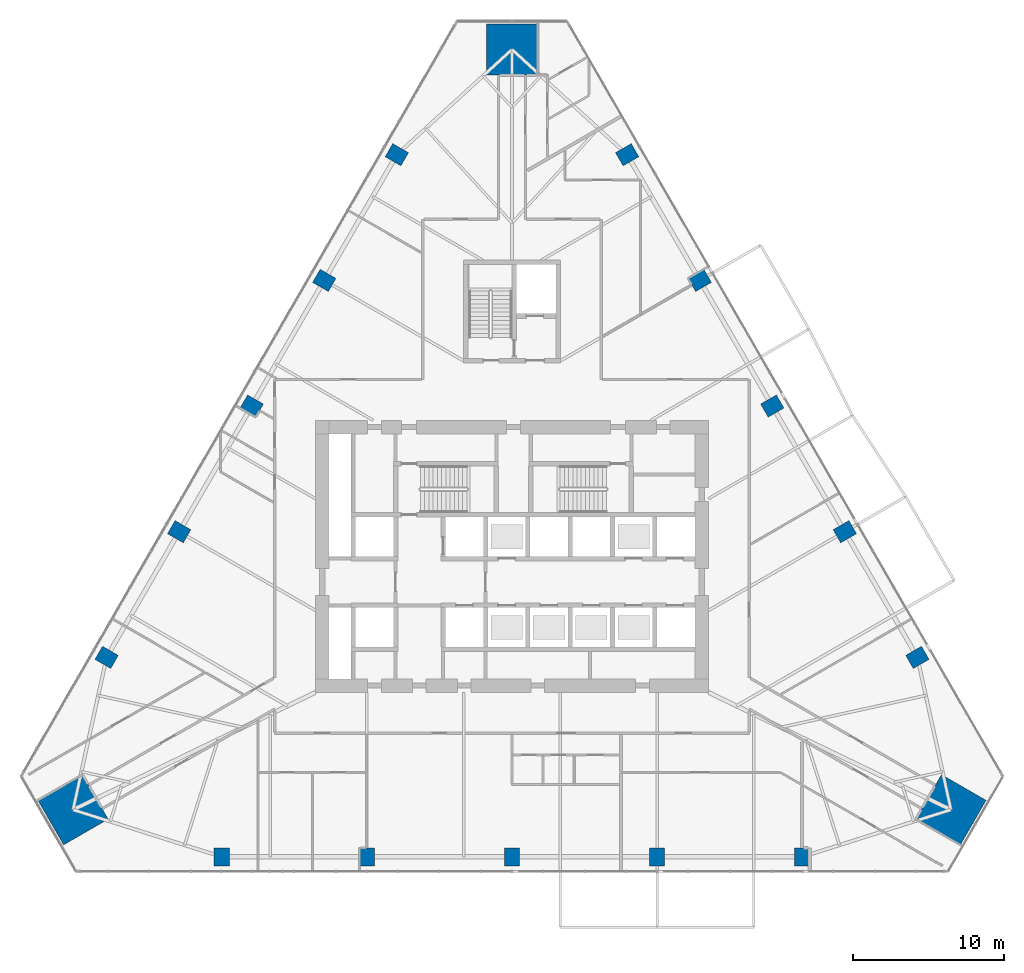
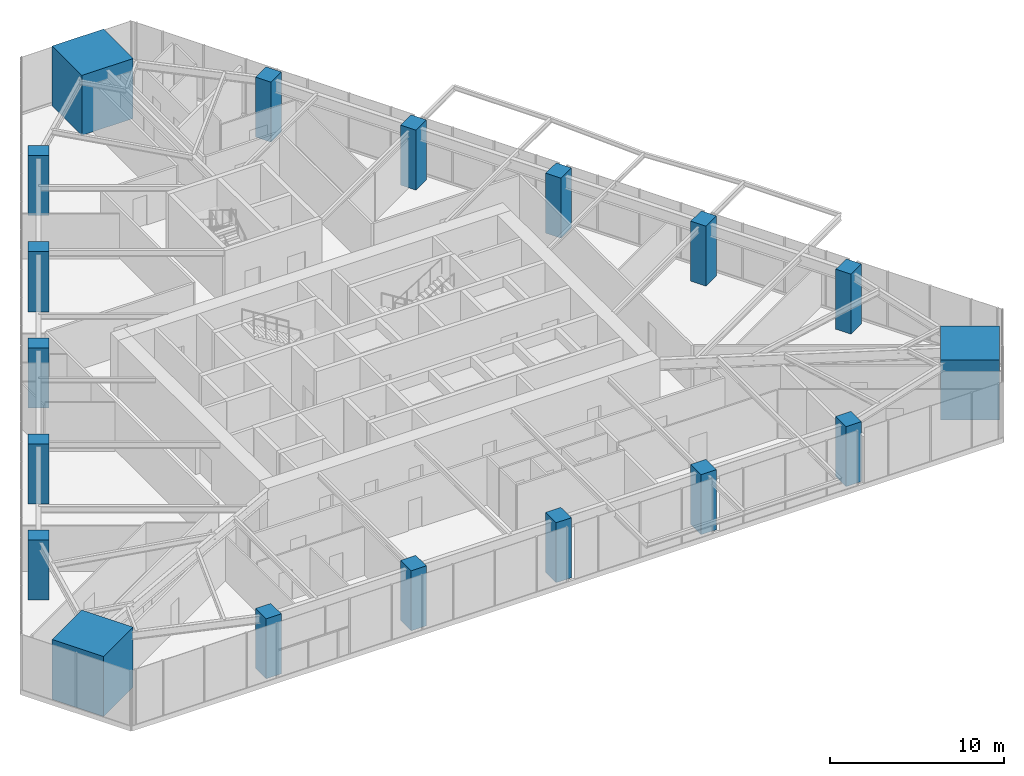
# One storey, part 1 of 29: 18 columns.
"""IFC4 building model written with IfcOpenShell, lengths in metres."""

from ifc_helpers import new_model, si_unit, direction, frame, origin, origin_2d, place, context, subcontext, project, spatial, rectangle, extrude, material, material_profile, profile_set, type_object, element, save


model = new_model("IFC4")

# Units and contexts
model_context = context("Model", 3, precision=1e-05, world=origin(), true_north=direction((0.0, 1.0)))
body_context = subcontext(model_context, "Body", "Model", "MODEL_VIEW")
ifc_project = project(units=[si_unit("LENGTHUNIT", "METRE"), si_unit("AREAUNIT", "SQUARE_METRE"), si_unit("VOLUMEUNIT", "CUBIC_METRE"), si_unit("PLANEANGLEUNIT", "RADIAN"), si_unit("MASSUNIT", "GRAM", prefix="KILO")], contexts=[model_context])

# Site, building, storey
site_placement = place(None, origin())
site = spatial("IfcSite", under=ifc_project, at=site_placement, CompositionType="ELEMENT")
building_placement = place(site_placement, origin())
building = spatial("IfcBuilding", under=site, at=building_placement, Name="Firuza Gate Tower and Library", CompositionType="ELEMENT")
storey_placement = place(building_placement, frame((0.0, 0.0, 44.199951171875)))
storey = spatial("IfcBuildingStorey", under=building, at=storey_placement, Name="L09", CompositionType="ELEMENT", Elevation=44.199951171875)

# Columns
ifc_material_1 = material(Name="Concrete C80/95", Category="concrete")
ifc_material_profile_1 = material_profile(ifc_material_1, rectangle(XDim=3.39990234375, YDim=3.39990234375, at=origin_2d()))
ifc_profile_set_1 = profile_set([ifc_material_profile_1], Name="Concrete C80/95")
column_type_1 = type_object("IfcColumnType", Name="Mega column 3400x3400 C80/95", PredefinedType="COLUMN", material=ifc_profile_set_1)
for number, where, z_axis, x_axis, name in (
    (1, (104.041259765625, 58.233154296875, 0.0), (0.0, 0.0, 1.0), (0.5, 0.866025403784, 0.0), "Mega column SE L09"),
    (2, (75.0, 108.533935546875, 0.0), (0.0, 0.0, 1.0), (-1.0, 0.0, 0.0), "Mega column N L09"),
    (3, (45.958740234375, 58.233154296875, 0.0), (0.0, 0.0, 1.0), (0.5, -0.866025403784, 0.0), "Mega column SW L09"),
):
    element("IfcColumn", number, at=place(storey_placement, frame(where, z_axis=z_axis, x_axis=x_axis)), inside=storey, type_object=column_type_1, Name=name, PredefinedType="COLUMN", context=body_context, shape_type="SweptSolid", body=[
        extrude(rectangle(XDim=3.39990234375, YDim=3.39990234375, at=origin_2d()), origin(), (0.0, 0.0, 1.0), 4.199951171875),
    ])
ifc_material_2 = material(Name="Concrete C60/75", Category="concrete")
ifc_material_profile_2 = material_profile(ifc_material_2, rectangle(XDim=1.0, YDim=1.199951171875, at=origin_2d()))
ifc_profile_set_2 = profile_set([ifc_material_profile_2], Name="Concrete C60/75")
column_type_2 = type_object("IfcColumnType", Name="Perimeter column 1000x1200 C60/75", PredefinedType="COLUMN", material=ifc_profile_set_2)
for number, where, z_axis, x_axis, name in (
    (4, (55.800048828125, 55.115478515625, -0.000244140625), (0.0, 0.0, 1.0), (1.0, 0.0, 0.0), "Column S1 L09"),
    (5, (65.39990234375, 55.115478515625, -0.000244140625), (0.0, 0.0, 1.0), (1.0, 0.0, 0.0), "Column S2 L09"),
    (6, (75.0, 55.115478515625, -0.000244140625), (0.0, 0.0, 1.0), (1.0, 0.0, 0.0), "Column S3 L09"),
    (7, (84.60009765625, 55.115478515625, -0.000244140625), (0.0, 0.0, 1.0), (1.0, 0.0, 0.0), "Column S4 L09"),
    (8, (94.199951171875, 55.115478515625, -0.000244140625), (0.0, 0.0, 1.0), (1.0, 0.0, 0.0), "Column S5 L09"),
    (9, (101.820556640625, 68.314697265625, -0.000244140625), (0.0, 0.0, 1.0), (-0.5, 0.866025403784, 0.0), "Column E1 L09"),
    (10, (97.0205078125, 76.62841796875, -0.000244140625), (0.0, 0.0, 1.0), (-0.5, 0.866025403784, 0.0), "Column E2 L09"),
    (11, (92.220458984375, 84.9423828125, -0.000244140625), (0.0, 0.0, 1.0), (-0.5, 0.866025403784, 0.0), "Column E3 L09"),
    (12, (87.420654296875, 93.256103515625, -0.000244140625), (0.0, 0.0, 1.0), (-0.5, 0.866025403784, 0.0), "Column E4 L09"),
    (13, (82.62060546875, 101.570068359375, -0.000244140625), (0.0, 0.0, 1.0), (-0.5, 0.866025403784, 0.0), "Column E5 L09"),
    (14, (67.37939453125, 101.570068359375, -0.000244140625), (0.0, 0.0, 1.0), (-0.5, -0.866025403784, 0.0), "Column W1 L09"),
    (15, (62.579345703125, 93.256103515625, -0.000244140625), (0.0, 0.0, 1.0), (-0.5, -0.866025403784, 0.0), "Column W2 L09"),
    (16, (57.779541015625, 84.9423828125, -0.000244140625), (0.0, 0.0, 1.0), (-0.5, -0.866025403784, 0.0), "Column W3 L09"),
    (17, (52.9794921875, 76.62841796875, -0.000244140625), (0.0, 0.0, 1.0), (-0.5, -0.866025403784, 0.0), "Column W4 L09"),
    (18, (48.179443359375, 68.314697265625, -0.000244140625), (0.0, 0.0, 1.0), (-0.5, -0.866025403784, 0.0), "Column W5 L09"),
):
    element("IfcColumn", number, at=place(storey_placement, frame(where, z_axis=z_axis, x_axis=x_axis)), inside=storey, type_object=column_type_2, Name=name, PredefinedType="COLUMN", context=body_context, shape_type="SweptSolid", body=[
        extrude(rectangle(XDim=1.0, YDim=1.199951171875, at=origin_2d()), origin(), (0.0, 0.0, 1.0), 4.2001953125),
    ])

save(model, "model.ifc")
